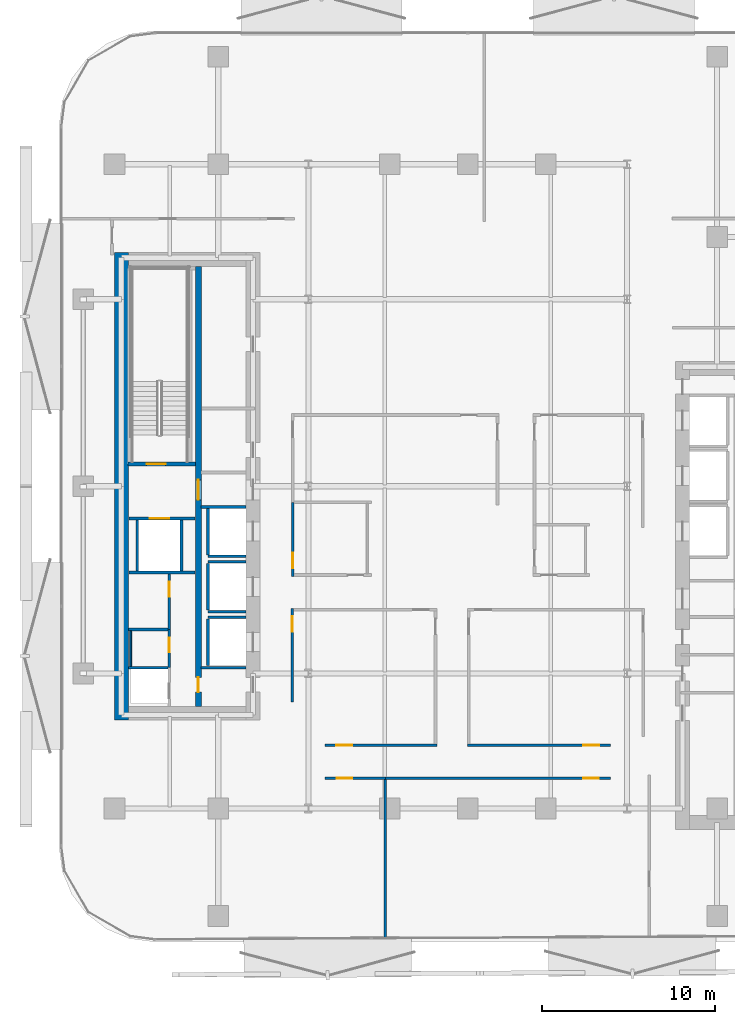
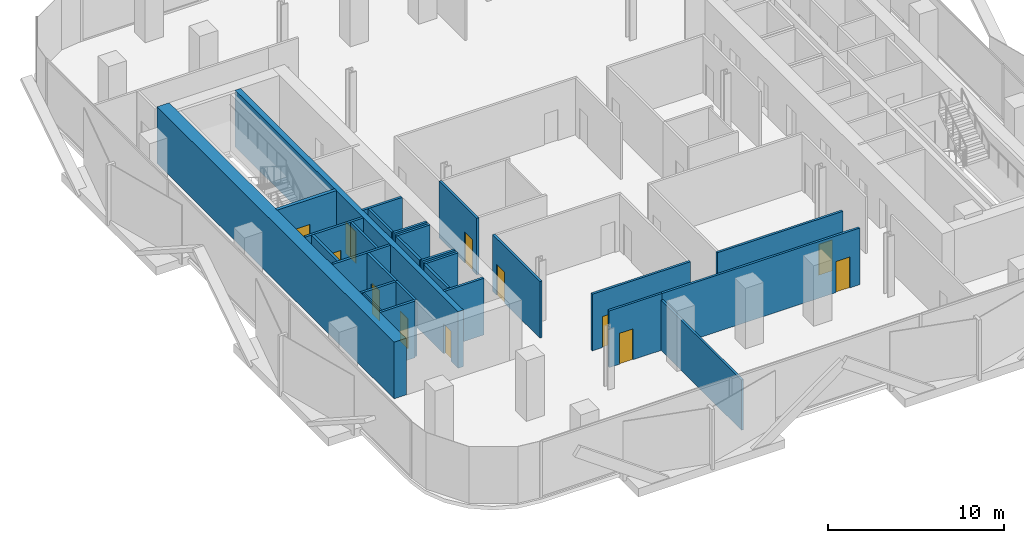
# One storey, part 3 of 15: 28 walls, 12 doors, 12 openings.
"""IFC4 building model written with IfcOpenShell, lengths in metres."""

import ifcopenshell
import ifcopenshell.guid

model = None  # the IFC model being written
_history = None  # IfcOwnerHistory: only IFC2X3 demands one
_inside = {}  # id of a spatial element -> (the spatial element, [elements in it])
_under = {}  # id of a project, library or spatial element -> (it, [spatial elements below it])
_declared = {}  # id of a project -> (the project, [libraries it declares])
_typed = {}  # id of a type object -> (the type object, [elements of that type])
_made_of = {}  # id of a material, layer set ... -> (it, [elements and type objects made of it])


def new_model(schema):
    """Start an empty IFC model of exactly this schema.

    Asked for "IFC4X3", IfcOpenShell would pick the latest addendum, in which some entities
    have other attributes; the version numbers below select the first issue.
    IFC2X3 requires an IfcOwnerHistory on every rooted entity: one is made here for all.
    """
    global model, _history
    if schema == "IFC4X3":
        model = ifcopenshell.file(schema_version=(4, 3, 0, 0))
    else:
        model = ifcopenshell.file(schema=schema)
    _inside.clear()
    _under.clear()
    _declared.clear()
    _typed.clear()
    _made_of.clear()
    _history = None
    if model.schema == "IFC2X3":
        org = make("IfcOrganization", Name="unknown")
        user = make(
            "IfcPersonAndOrganization",
            ThePerson=make("IfcPerson", FamilyName="unknown"),
            TheOrganization=org,
        )
        app = make(
            "IfcApplication",
            ApplicationDeveloper=org,
            Version="unknown",
            ApplicationFullName="unknown",
            ApplicationIdentifier="unknown",
        )
        _history = make(
            "IfcOwnerHistory",
            OwningUser=user,
            OwningApplication=app,
            ChangeAction="ADDED",
            CreationDate=0,
        )
    return model


def make(cls, **values):
    """One entity of the class cls with the attributes given. An attribute that is None is left unset."""
    return model.create_entity(
        cls, **{name: value for name, value in values.items() if value is not None}
    )


def rooted(cls, **values):
    """An entity with a GlobalId (a new one), such as an element, a storey or a relation."""
    return make(cls, GlobalId=ifcopenshell.guid.new(), OwnerHistory=_history, **values)


def si_unit(unit_type, name, prefix=None):
    """IfcSIUnit, for example si_unit("LENGTHUNIT", "METRE", prefix="MILLI")."""
    return make("IfcSIUnit", UnitType=unit_type, Prefix=prefix, Name=name)


def assignment(units):
    """IfcUnitAssignment: the units of a project."""
    return None if units is None else make("IfcUnitAssignment", Units=units)


def point(xyz):
    """IfcCartesianPoint."""
    return None if xyz is None else make("IfcCartesianPoint", Coordinates=xyz)


def direction(xyz):
    """IfcDirection."""
    return None if xyz is None else make("IfcDirection", DirectionRatios=xyz)


def frame(location, z_axis=None, x_axis=None):
    """IfcAxis2Placement3D, a coordinate frame: its origin and axes. An axis left out is left unset."""
    return make(
        "IfcAxis2Placement3D",
        Location=point(location),
        Axis=direction(z_axis),
        RefDirection=direction(x_axis),
    )


def frame_2d(location, x_axis=None):
    """IfcAxis2Placement2D, a coordinate frame in the plane: its origin and x axis."""
    return make(
        "IfcAxis2Placement2D", Location=point(location), RefDirection=direction(x_axis)
    )


def origin():
    """The frame at (0, 0, 0) with its axes left unset."""
    return frame((0.0, 0.0, 0.0))


def place(relative_to, where):
    """IfcLocalPlacement: puts the frame where relative to a parent placement (None: the world)."""
    return make(
        "IfcLocalPlacement", PlacementRelTo=relative_to, RelativePlacement=where
    )


def context(
    kind, dimensions, precision=None, world=None, true_north=None, identifier=None
):
    """IfcGeometricRepresentationContext, for example the 3D "Model" context."""
    return make(
        "IfcGeometricRepresentationContext",
        ContextIdentifier=identifier,
        ContextType=kind,
        CoordinateSpaceDimension=dimensions,
        Precision=precision,
        WorldCoordinateSystem=world,
        TrueNorth=true_north,
    )


def subcontext(parent, identifier, kind, view, scale=None):
    """IfcGeometricRepresentationSubContext, for example "Body" below "Model"."""
    return make(
        "IfcGeometricRepresentationSubContext",
        ContextIdentifier=identifier,
        ContextType=kind,
        ParentContext=parent,
        TargetScale=scale,
        TargetView=view,
    )


def project(units=None, contexts=None):
    """IfcProject with its units and contexts."""
    return rooted(
        "IfcProject",
        Name="project",
        RepresentationContexts=contexts,
        UnitsInContext=assignment(units),
    )


def spatial(cls, under=None, at=None, **own):
    """A site, building, storey or space (cls), placed at a placement, below another one or the project."""
    s = rooted(cls, ObjectPlacement=at, **own)
    if under is not None:
        _under.setdefault(under.id(), (under, []))[1].append(s)
    return s


def profile(cls, at=None, kind="AREA", **sizes):
    """A parametric profile (cls). Its sizes go by their IFC names, for example OverallWidth=200.0."""
    return make(cls, ProfileType=kind, Position=at, **sizes)


def rectangle(**sizes):
    """IfcRectangleProfileDef."""
    return profile("IfcRectangleProfileDef", **sizes)


def extrude(swept, where, along, depth):
    """IfcExtrudedAreaSolid: the profile swept, set in the frame where, extruded along a direction by depth."""
    return make(
        "IfcExtrudedAreaSolid",
        SweptArea=swept,
        Position=where,
        ExtrudedDirection=direction(along),
        Depth=depth,
    )


def shape(context_of_items, identifier, shape_type, items):
    """IfcShapeRepresentation: the items that make up one representation, for example the "Body"."""
    return make(
        "IfcShapeRepresentation",
        ContextOfItems=context_of_items,
        RepresentationIdentifier=identifier,
        RepresentationType=shape_type,
        Items=items,
    )


def material(Name=None, Category=None):
    """IfcMaterial."""
    return make("IfcMaterial", Name=Name, Category=Category)


def layer(
    of_material, thickness, ventilated=None, Name=None, Category=None, Priority=None
):
    """IfcMaterialLayer: one layer of a wall or slab, of a material (None: an air gap)."""
    return make(
        "IfcMaterialLayer",
        Material=of_material,
        LayerThickness=thickness,
        IsVentilated=ventilated,
        Name=Name,
        Category=Category,
        Priority=Priority,
    )


def layer_set(layers, Name=None):
    """IfcMaterialLayerSet."""
    return make("IfcMaterialLayerSet", MaterialLayers=layers, LayerSetName=Name)


def made_of(thing, what):
    """Note that an element or type object is made of a material, layer set ...; save() writes the relation."""
    if what is not None:
        _made_of.setdefault(what.id(), (what, []))[1].append(thing)
    return thing


def type_object(cls, material=None, **own):
    """A type object (cls), such as IfcWallType, which elements share."""
    return made_of(rooted(cls, **own), material)


def element(
    cls,
    number,
    at=None,
    inside=None,
    cuts=None,
    type_object=None,
    material=None,
    context=None,
    identifier="Body",
    shape_type=None,
    held_by="IfcProductDefinitionShape",
    body=None,
    shapes=None,
    **own,
):
    """One element of the class cls, such as IfcWall. Its Tag is "e" and its number.

    at: its placement. inside: the storey or other place that contains it. cuts: it is an
    opening in that element (IfcRelVoidsElement). A single representation is given by context,
    identifier, shape_type and body (its items); several are given by shapes. held_by: the class
    of the entity that holds the representations. save() writes the other relations.
    """
    e = rooted(cls, Tag="e%d" % number, ObjectPlacement=at, **own)
    if body is not None:
        shapes = [shape(context, identifier, shape_type, body)]
    if shapes is not None:
        e.Representation = make(held_by, Representations=shapes)
    if inside is not None:
        _inside.setdefault(inside.id(), (inside, []))[1].append(e)
    if cuts is not None:
        rooted(
            "IfcRelVoidsElement", RelatingBuildingElement=cuts, RelatedOpeningElement=e
        )
    if type_object is not None:
        _typed.setdefault(type_object.id(), (type_object, []))[1].append(e)
    return made_of(e, material)


def fill(opening, filler):
    """IfcRelFillsElement: the door or window that sits in an opening."""
    return rooted(
        "IfcRelFillsElement",
        RelatingOpeningElement=opening,
        RelatedBuildingElement=filler,
    )


def aggregate(whole, parts):
    """IfcRelAggregates: a whole, such as a stair, and the parts it consists of."""
    return rooted("IfcRelAggregates", RelatingObject=whole, RelatedObjects=parts)


def save(model, path):
    """Write the relations noted so far, then the file.

    IfcRelAggregates (storeys below a building ...), IfcRelContainedInSpatialStructure (elements
    in a storey), IfcRelDefinesByType, IfcRelAssociatesMaterial and IfcRelDeclares: one each for
    every whole, place, type object, material and project.
    """
    for whole, parts in _under.values():
        aggregate(whole, parts)
    for where, things in _inside.values():
        rooted(
            "IfcRelContainedInSpatialStructure",
            RelatedElements=things,
            RelatingStructure=where,
        )
    for kind, things in _typed.values():
        rooted("IfcRelDefinesByType", RelatedObjects=things, RelatingType=kind)
    for what, things in _made_of.values():
        rooted("IfcRelAssociatesMaterial", RelatedObjects=things, RelatingMaterial=what)
    for by, libraries in _declared.values():
        rooted("IfcRelDeclares", RelatingContext=by, RelatedDefinitions=libraries)
    model.write(path)


model = new_model("IFC4")

# Units and contexts
model_context = context("Model", 3, precision=1e-05, world=origin(), true_north=direction((0.0, 1.0)))
body_context = subcontext(model_context, "Body", "Model", "MODEL_VIEW")
ifc_project = project(units=[si_unit("LENGTHUNIT", "METRE"), si_unit("AREAUNIT", "SQUARE_METRE"), si_unit("VOLUMEUNIT", "CUBIC_METRE"), si_unit("PLANEANGLEUNIT", "RADIAN"), si_unit("MASSUNIT", "GRAM", prefix="KILO")], contexts=[model_context])

# Site, building, storey
site_placement = place(None, origin())
site = spatial("IfcSite", under=ifc_project, at=site_placement, CompositionType="ELEMENT")
building_placement = place(site_placement, origin())
building = spatial("IfcBuilding", under=site, at=building_placement, Name="Khairoan Windgate Tower", CompositionType="ELEMENT")
storey_placement = place(building_placement, frame((0.0, 0.0, 114.199951171875)))
storey = spatial("IfcBuildingStorey", under=building, at=storey_placement, Name="L26", CompositionType="ELEMENT", Elevation=114.199951171875)

# Walls
ifc_material_1 = material(Name="Moisture-Resistant Gypsum Partition", Category="gypsum")
ifc_layer_1 = layer(ifc_material_1, 0.10009765625, Name="Moisture-Resistant Gypsum Partition")
ifc_layer_set_1 = layer_set([ifc_layer_1], Name="Moisture-Resistant Gypsum Partition")
wall_type_1 = type_object("IfcWallType", Name="Bathroom Wet-Area Partition Wall", PredefinedType="PARTITIONING", material=ifc_layer_set_1)
wall_1_placement = place(storey_placement, frame((-19.449951171875, -10.389892578125, 0.0), z_axis=(0.0, 0.0, 1.0), x_axis=(0.0, 1.0, 0.0)))
element("IfcWall", 1, at=wall_1_placement, inside=storey, type_object=wall_type_1, Name="L26 Wet Room Side Wall 047", PredefinedType="PARTITIONING", context=body_context, shape_type="SweptSolid", body=[
    extrude(rectangle(XDim=2.039794921875, YDim=0.10009765625, at=frame_2d((1.02001953125, 0.0))), origin(), (0.0, 0.0, 1.0), 3.93994140625),
])
ifc_material_2 = material(Name="Concrete C40/50", Category="concrete")
ifc_layer_2 = layer(ifc_material_2, 0.159912109375, Name="Concrete C40/50")
ifc_layer_set_2 = layer_set([ifc_layer_2], Name="Concrete C40/50")
wall_type_2 = type_object("IfcWallType", Name="Core and Hoistway Enclosure Wall", PredefinedType="STANDARD", material=ifc_layer_set_2)
wall_2_placement = place(storey_placement, frame((-14.989990234375, -4.0400390625, 0.0), z_axis=(0.0, 0.0, 1.0), x_axis=(1.0, 0.0, 0.0)))
element("IfcWall", 2, at=wall_2_placement, inside=storey, type_object=wall_type_2, Name="L26 Lift PL4 Hoistway Divider S", PredefinedType="STANDARD", context=body_context, shape_type="SweptSolid", body=[
    extrude(rectangle(XDim=2.18994140625, YDim=0.159912109375, at=frame_2d((1.094970703125, 0.0))), origin(), (0.0, 0.0, 1.0), 3.93994140625),
])
wall_3_placement = place(storey_placement, frame((-14.989990234375, -3.949951171875, 0.0), z_axis=(0.0, 0.0, 1.0), x_axis=(0.0, 1.0, 0.0)))
element("IfcWall", 3, at=wall_3_placement, inside=storey, type_object=wall_type_2, Name="L26 Lift PL4 Hoistway Back Wall", PredefinedType="STANDARD", context=body_context, shape_type="SweptSolid", body=[
    extrude(rectangle(XDim=2.699951171875, YDim=0.159912109375, at=frame_2d((1.35009765625, 0.0))), origin(), (0.0, 0.0, 1.0), 3.93994140625),
])
for number, where, z_axis, x_axis, name in (
    (4, (-14.989990234375, -7.239990234375, 0.0), (0.0, 0.0, 1.0), (1.0, 0.0, 0.0), "L26 Lift PL5 Hoistway Divider S"),
    (5, (-14.989990234375, -4.360107421875, 0.0), (0.0, 0.0, 1.0), (1.0, 0.0, 0.0), "L26 Lift PL5 Hoistway Divider N"),
):
    element("IfcWall", number, at=place(storey_placement, frame(where, z_axis=z_axis, x_axis=x_axis)), inside=storey, type_object=wall_type_2, Name=name, PredefinedType="STANDARD", context=body_context, shape_type="SweptSolid", body=[
        extrude(rectangle(XDim=2.18994140625, YDim=0.159912109375, at=frame_2d((1.094970703125, 0.0))), origin(), (0.0, 0.0, 1.0), 3.93994140625),
    ])
wall_4_placement = place(storey_placement, frame((-14.989990234375, -7.14990234375, 0.0), z_axis=(0.0, 0.0, 1.0), x_axis=(0.0, 1.0, 0.0)))
element("IfcWall", 6, at=wall_4_placement, inside=storey, type_object=wall_type_2, Name="L26 Lift PL5 Hoistway Back Wall", PredefinedType="STANDARD", context=body_context, shape_type="SweptSolid", body=[
    extrude(rectangle(XDim=2.699951171875, YDim=0.159912109375, at=frame_2d((1.35009765625, 0.0))), origin(), (0.0, 0.0, 1.0), 3.93994140625),
])
wall_5_placement = place(storey_placement, frame((-14.989990234375, -7.56005859375, 0.0), z_axis=(0.0, 0.0, 1.0), x_axis=(1.0, 0.0, 0.0)))
element("IfcWall", 7, at=wall_5_placement, inside=storey, type_object=wall_type_2, Name="L26 Lift PL6 Hoistway Divider N", PredefinedType="STANDARD", context=body_context, shape_type="SweptSolid", body=[
    extrude(rectangle(XDim=2.18994140625, YDim=0.159912109375, at=frame_2d((1.094970703125, 0.0))), origin(), (0.0, 0.0, 1.0), 3.93994140625),
])
wall_6_placement = place(storey_placement, frame((-14.989990234375, -10.35009765625, 0.0), z_axis=(0.0, 0.0, 1.0), x_axis=(0.0, 1.0, 0.0)))
element("IfcWall", 8, at=wall_6_placement, inside=storey, type_object=wall_type_2, Name="L26 Lift PL6 Hoistway Back Wall", PredefinedType="STANDARD", context=body_context, shape_type="SweptSolid", body=[
    extrude(rectangle(XDim=2.7001953125, YDim=0.159912109375, at=frame_2d((1.35009765625, 0.0))), origin(), (0.0, 0.0, 1.0), 3.93994140625),
])

# Wall, opening, door
wall_7_placement = place(storey_placement, frame((-19.550048828125, -1.860107421875, 0.0), z_axis=(0.0, 0.0, 1.0), x_axis=(1.0, 0.0, 0.0)))
wall_7 = element("IfcWall", 9, at=wall_7_placement, inside=storey, type_object=wall_type_2, Name="L26 Core Shaft Wall SW-FL2-L26", PredefinedType="STANDARD", context=body_context, shape_type="SweptSolid", body=[
    extrude(rectangle(XDim=3.800048828125, YDim=0.159912109375, at=frame_2d((1.89990234375, 0.0))), origin(), (0.0, 0.0, 1.0), 3.93994140625),
])
opening_1_placement = place(wall_7_placement, frame((1.179931640625, 0.0, 0.0)))
opening_1 = element("IfcOpeningElement", 10, at=opening_1_placement, cuts=wall_7, Name="Opening LD-FL", PredefinedType="OPENING", context=body_context, shape_type="SweptSolid", body=[
    extrude(rectangle(XDim=1.14990234375, YDim=2.199951171875, at=frame_2d((0.574951171875, 1.10009765625))), frame((0.0, 0.08984375, 0.0), z_axis=(0.0, -1.0, 0.0), x_axis=(1.0, 0.0, 0.0)), (0.0, 0.0, 1.0), 0.179931640625),
])
ifc_material_3 = material(Name="Steel S355", Category="steel")
door_type_1 = type_object("IfcDoorType", Name="Firefighting Lift Sliding Landing Door LD-FL 1150x2200", OperationType="DOUBLE_DOOR_SLIDING", PredefinedType="DOOR", material=ifc_material_3)
door_1_placement = place(opening_1_placement, origin())
door_1 = element("IfcDoor", 11, at=door_1_placement, inside=storey, type_object=door_type_1, Name="L26 Firefighting Lift FL2 Landing Door", OperationType="DOUBLE_DOOR_SLIDING", OverallHeight=2.199951171875, OverallWidth=1.14990234375, PredefinedType="DOOR", context=body_context, shape_type="SweptSolid", body=[
    extrude(rectangle(XDim=1.14990234375, YDim=2.199951171875, at=frame_2d((0.574951171875, 1.10009765625))), frame((0.0, 0.02490234375, 0.0), z_axis=(0.0, -1.0, 0.0), x_axis=(1.0, 0.0, 0.0)), (0.0, 0.0, 1.0), 0.050048828125),
])
fill(opening_1, door_1)

# Walls
wall_8_placement = place(storey_placement, frame((-19.550048828125, -4.97998046875, 0.0), z_axis=(0.0, 0.0, 1.0), x_axis=(1.0, 0.0, 0.0)))
element("IfcWall", 12, at=wall_8_placement, inside=storey, type_object=wall_type_2, Name="L26 Core Shaft Wall SW-FL2B-L26", PredefinedType="STANDARD", context=body_context, shape_type="SweptSolid", body=[
    extrude(rectangle(XDim=3.800048828125, YDim=0.159912109375, at=frame_2d((1.89990234375, 0.0))), origin(), (0.0, 0.0, 1.0), 3.93994140625),
])
for number, where, z_axis, x_axis, name in (
    (13, (-19.080078125, -4.89990234375, 0.0), (0.0, 0.0, 1.0), (0.0, 1.0, 0.0), "L26 Core Shaft Wall SW-FL2W-L26"),
    (14, (-16.52001953125, -4.89990234375, 0.0), (0.0, 0.0, 1.0), (0.0, 1.0, 0.0), "L26 Core Shaft Wall SW-FL2E-L26"),
):
    element("IfcWall", number, at=place(storey_placement, frame(where, z_axis=z_axis, x_axis=x_axis)), inside=storey, type_object=wall_type_2, Name=name, PredefinedType="STANDARD", context=body_context, shape_type="SweptSolid", body=[
        extrude(rectangle(XDim=2.9599609375, YDim=0.159912109375, at=frame_2d((1.47998046875, 0.0))), origin(), (0.0, 0.0, 1.0), 3.93994140625),
    ])
for number, where, z_axis, x_axis, name in (
    (15, (-15.39990234375, -1.199951171875, 0.0), (0.0, 0.0, 1.0), (1.0, 0.0, 0.0), "L26 Core Shaft Wall SW-WV2-L26"),
    (16, (-15.39990234375, -10.47998046875, 0.0), (0.0, 0.0, 1.0), (1.0, 0.0, 0.0), "L26 Core Shaft Wall SW-WSV-L26"),
):
    element("IfcWall", number, at=place(storey_placement, frame(where, z_axis=z_axis, x_axis=x_axis)), inside=storey, type_object=wall_type_2, Name=name, PredefinedType="STANDARD", context=body_context, shape_type="SweptSolid", body=[
        extrude(rectangle(XDim=2.599853515625, YDim=0.159912109375, at=frame_2d((1.2998046875, 0.0))), origin(), (0.0, 0.0, 1.0), 3.93994140625),
    ])
ifc_material_4 = material(Name="Acoustic Fire-Rated Gypsum Partition", Category="gypsum")
ifc_layer_3 = layer(ifc_material_4, 0.139892578125, Name="Acoustic Fire-Rated Gypsum Partition")
ifc_layer_set_3 = layer_set([ifc_layer_3], Name="Acoustic Fire-Rated Gypsum Partition")
wall_type_3 = type_object("IfcWallType", Name="Inter-Tenancy Compartment Wall", PredefinedType="PARTITIONING", material=ifc_layer_set_3)
wall_9_placement = place(storey_placement, frame((-4.760009765625, -26.08984375, 0.0), z_axis=(0.0, 0.0, 1.0), x_axis=(0.0, 1.0, 0.0)))
element("IfcWall", 17, at=wall_9_placement, inside=storey, type_object=wall_type_3, Name="L26 Interior Partition 043", PredefinedType="PARTITIONING", context=body_context, shape_type="SweptSolid", body=[
    extrude(rectangle(XDim=9.15478515625, YDim=0.139892578125, at=frame_2d((4.577392578125, 0.0))), origin(), (0.0, 0.0, 1.0), 3.489990234375),
])

# Wall, opening, door
ifc_material_5 = material(Name="Concrete C40/50", Category="concrete")
ifc_layer_4 = layer(ifc_material_5, 0.159912109375, Name="Concrete C40/50")
ifc_layer_set_4 = layer_set([ifc_layer_4], Name="Concrete C40/50")
wall_type_4 = type_object("IfcWallType", Name="Plant and Refuge Compartment Wall", PredefinedType="PARTITIONING", material=ifc_layer_set_4)
wall_10_placement = place(storey_placement, frame((-17.22998046875, -10.469970703125, 0.0), z_axis=(0.0, 0.0, 1.0), x_axis=(0.0, 1.0, 0.0)))
wall_10 = element("IfcWall", 18, at=wall_10_placement, inside=storey, type_object=wall_type_4, Name="L26 Interior Partition 002", PredefinedType="PARTITIONING", context=body_context, shape_type="SweptSolid", body=[
    extrude(rectangle(XDim=2.199951171875, YDim=0.159912109375, at=frame_2d((1.10009765625, 0.0))), origin(), (0.0, 0.0, 1.0), 3.93994140625),
])
opening_2_placement = place(wall_10_placement, frame((0.889892578125, 0.0, 0.0)))
opening_2 = element("IfcOpeningElement", 19, at=opening_2_placement, cuts=wall_10, Name="Opening FD-SRV", PredefinedType="OPENING", context=body_context, shape_type="SweptSolid", body=[
    extrude(rectangle(XDim=0.85009765625, YDim=2.10009765625, at=frame_2d((0.425048828125, 1.050048828125))), frame((0.0, 0.08984375, 0.0), z_axis=(0.0, -1.0, 0.0), x_axis=(1.0, 0.0, 0.0)), (0.0, 0.0, 1.0), 0.179931640625),
])
ifc_material_6 = material(Name="Steel S355", Category="steel")
door_type_2 = type_object("IfcDoorType", Name="Core Service and Riser Fire Door FD-SRV 850x2100", OperationType="NOTDEFINED", PredefinedType="DOOR", material=ifc_material_6)
door_2_placement = place(opening_2_placement, origin())
door_2 = element("IfcDoor", 20, at=door_2_placement, inside=storey, type_object=door_type_2, Name="L26 L26-04-L26-06 Door", OperationType="SINGLE_SWING_LEFT", OverallHeight=2.10009765625, OverallWidth=0.85009765625, PredefinedType="DOOR", context=body_context, shape_type="SweptSolid", body=[
    extrude(rectangle(XDim=0.85009765625, YDim=2.10009765625, at=frame_2d((0.425048828125, 1.050048828125))), frame((0.0, 0.02490234375, 0.0), z_axis=(0.0, -1.0, 0.0), x_axis=(1.0, 0.0, 0.0)), (0.0, 0.0, 1.0), 0.050048828125),
])
fill(opening_2, door_2)

wall_11_placement = place(storey_placement, frame((-17.22998046875, -8.27001953125, 0.0), z_axis=(0.0, 0.0, 1.0), x_axis=(0.0, 1.0, 0.0)))
wall_11 = element("IfcWall", 21, at=wall_11_placement, inside=storey, type_object=wall_type_4, Name="L26 Interior Partition 003", PredefinedType="PARTITIONING", context=body_context, shape_type="SweptSolid", body=[
    extrude(rectangle(XDim=3.2099609375, YDim=0.159912109375, at=frame_2d((1.60498046875, 0.0))), origin(), (0.0, 0.0, 1.0), 3.93994140625),
])
opening_3_placement = place(wall_11_placement, frame((1.89990234375, 0.0, 0.0)))
opening_3 = element("IfcOpeningElement", 22, at=opening_3_placement, cuts=wall_11, Name="Opening FD-SRV", PredefinedType="OPENING", context=body_context, shape_type="SweptSolid", body=[
    extrude(rectangle(XDim=0.85009765625, YDim=2.10009765625, at=frame_2d((0.425048828125, 1.050048828125))), frame((0.0, 0.08984375, 0.0), z_axis=(0.0, -1.0, 0.0), x_axis=(1.0, 0.0, 0.0)), (0.0, 0.0, 1.0), 0.179931640625),
])
door_3_placement = place(opening_3_placement, origin())
door_3 = element("IfcDoor", 23, at=door_3_placement, inside=storey, type_object=door_type_2, Name="L26 L26-04-L26-07 Door", OperationType="SINGLE_SWING_RIGHT", OverallHeight=2.10009765625, OverallWidth=0.85009765625, PredefinedType="DOOR", context=body_context, shape_type="SweptSolid", body=[
    extrude(rectangle(XDim=0.85009765625, YDim=2.10009765625, at=frame_2d((0.425048828125, 1.050048828125))), frame((0.0, 0.02490234375, 0.0), z_axis=(0.0, -1.0, 0.0), x_axis=(1.0, 0.0, 0.0)), (0.0, 0.0, 1.0), 0.050048828125),
])
fill(opening_3, door_3)

# Walls
for number, where, z_axis, x_axis, name in (
    (24, (-19.60009765625, -10.469970703125, 0.0), (0.0, 0.0, 1.0), (1.0, 0.0, 0.0), "L26 Interior Partition 004"),
    (25, (-19.60009765625, -8.27001953125, 0.0), (0.0, 0.0, 1.0), (1.0, 0.0, 0.0), "L26 Interior Partition 005"),
):
    element("IfcWall", number, at=place(storey_placement, frame(where, z_axis=z_axis, x_axis=x_axis)), inside=storey, type_object=wall_type_4, Name=name, PredefinedType="PARTITIONING", context=body_context, shape_type="SweptSolid", body=[
        extrude(rectangle(XDim=2.2900390625, YDim=0.159912109375, at=frame_2d((1.14501953125, 0.0))), origin(), (0.0, 0.0, 1.0), 3.93994140625),
    ])

# Wall, opening, door
ifc_material_7 = material(Name="Acoustic Fire-Rated Gypsum Partition", Category="gypsum")
ifc_layer_5 = layer(ifc_material_7, 0.14990234375, Name="Acoustic Fire-Rated Gypsum Partition")
ifc_layer_set_5 = layer_set([ifc_layer_5], Name="Acoustic Fire-Rated Gypsum Partition")
wall_type_5 = type_object("IfcWallType", Name="Rated Corridor Partition Wall", PredefinedType="PARTITIONING", material=ifc_layer_set_5)
wall_12_placement = place(storey_placement, frame((-10.10009765625, -5.195068359375, 0.0), z_axis=(0.0, 0.0, 1.0), x_axis=(0.0, 1.0, 0.0)))
wall_12 = element("IfcWall", 26, at=wall_12_placement, inside=storey, type_object=wall_type_5, Name="L26 Interior Partition 015", PredefinedType="PARTITIONING", context=body_context, shape_type="SweptSolid", body=[
    extrude(rectangle(XDim=4.275146484375, YDim=0.14990234375, at=frame_2d((2.1376953125, 0.0))), origin(), (0.0, 0.0, 1.0), 3.93994140625),
])
opening_4_placement = place(wall_12_placement, frame((0.4599609375, 0.0, 0.0)))
opening_4 = element("IfcOpeningElement", 27, at=opening_4_placement, cuts=wall_12, Name="Opening FD-ENT", PredefinedType="OPENING", context=body_context, shape_type="SweptSolid", body=[
    extrude(rectangle(XDim=0.89990234375, YDim=2.14990234375, at=frame_2d((0.449951171875, 1.074951171875))), frame((0.0, 0.0849609375, 0.0), z_axis=(0.0, -1.0, 0.0), x_axis=(1.0, 0.0, 0.0)), (0.0, 0.0, 1.0), 0.169921875),
])
ifc_material_8 = material(Name="Timber Fire-Rated Core", Category="wood")
door_type_3 = type_object("IfcDoorType", Name="Unit and Office Fire Entrance Door FD-ENT 900x2150", OperationType="NOTDEFINED", PredefinedType="DOOR", material=ifc_material_8)
door_4_placement = place(opening_4_placement, origin())
door_4 = element("IfcDoor", 28, at=door_4_placement, inside=storey, type_object=door_type_3, Name="L26 L26-30-L26-49 Door", OperationType="SINGLE_SWING_LEFT", OverallHeight=2.14990234375, OverallWidth=0.89990234375, PredefinedType="DOOR", context=body_context, shape_type="SweptSolid", body=[
    extrude(rectangle(XDim=0.89990234375, YDim=2.14990234375, at=frame_2d((0.449951171875, 1.074951171875))), frame((0.0, 0.02490234375, 0.0), z_axis=(0.0, -1.0, 0.0), x_axis=(1.0, 0.0, 0.0)), (0.0, 0.0, 1.0), 0.050048828125),
])
fill(opening_4, door_4)

wall_13_placement = place(storey_placement, frame((-10.125, -12.43994140625, 0.0), z_axis=(0.0, 0.0, 1.0), x_axis=(0.0, 1.0, 0.0)))
wall_13 = element("IfcWall", 29, at=wall_13_placement, inside=storey, type_object=wall_type_5, Name="L26 Interior Partition 017", PredefinedType="PARTITIONING", context=body_context, shape_type="SweptSolid", body=[
    extrude(rectangle(XDim=5.39990234375, YDim=0.14990234375, at=frame_2d((2.699951171875, 0.0))), origin(), (0.0, 0.0, 1.0), 3.93994140625),
])
opening_5_placement = place(wall_13_placement, frame((4.0400390625, 0.0, 0.0)))
opening_5 = element("IfcOpeningElement", 30, at=opening_5_placement, cuts=wall_13, Name="Opening FD-ENT", PredefinedType="OPENING", context=body_context, shape_type="SweptSolid", body=[
    extrude(rectangle(XDim=0.89990234375, YDim=2.14990234375, at=frame_2d((0.449951171875, 1.074951171875))), frame((0.0, 0.0849609375, 0.0), z_axis=(0.0, -1.0, 0.0), x_axis=(1.0, 0.0, 0.0)), (0.0, 0.0, 1.0), 0.169921875),
])
door_5_placement = place(opening_5_placement, origin())
door_5 = element("IfcDoor", 31, at=door_5_placement, inside=storey, type_object=door_type_3, Name="L26 L26-30-L26-51 Door", OperationType="SINGLE_SWING_LEFT", OverallHeight=2.14990234375, OverallWidth=0.89990234375, PredefinedType="DOOR", context=body_context, shape_type="SweptSolid", body=[
    extrude(rectangle(XDim=0.89990234375, YDim=2.14990234375, at=frame_2d((0.449951171875, 1.074951171875))), frame((0.0, 0.02490234375, 0.0), z_axis=(0.0, -1.0, 0.0), x_axis=(1.0, 0.0, 0.0)), (0.0, 0.0, 1.0), 0.050048828125),
])
fill(opening_5, door_5)

wall_14_placement = place(storey_placement, frame((-8.239990234375, -16.860107421875, 0.0), z_axis=(0.0, 0.0, 1.0), x_axis=(1.0, 0.0, 0.0)))
wall_14 = element("IfcWall", 32, at=wall_14_placement, inside=storey, type_object=wall_type_5, Name="L26 Interior Partition 033", PredefinedType="PARTITIONING", context=body_context, shape_type="SweptSolid", body=[
    extrude(rectangle(XDim=3.47998046875, YDim=0.14990234375, at=frame_2d((1.739990234375, 0.0))), origin(), (0.0, 0.0, 1.0), 3.93994140625),
])
opening_6_placement = place(wall_14_placement, frame((0.66748046875, 0.0, 0.0)))
opening_6 = element("IfcOpeningElement", 33, at=opening_6_placement, cuts=wall_14, Name="Opening FD-ENT", PredefinedType="OPENING", context=body_context, shape_type="SweptSolid", body=[
    extrude(rectangle(XDim=0.89990234375, YDim=2.14990234375, at=frame_2d((0.449951171875, 1.074951171875))), frame((0.0, 0.0849609375, 0.0), z_axis=(0.0, -1.0, 0.0), x_axis=(1.0, 0.0, 0.0)), (0.0, 0.0, 1.0), 0.169921875),
])
door_6_placement = place(opening_6_placement, origin())
door_6 = element("IfcDoor", 34, at=door_6_placement, inside=storey, type_object=door_type_3, Name="L26 L26-37-L26-44 Door", OperationType="SINGLE_SWING_LEFT", OverallHeight=2.14990234375, OverallWidth=0.89990234375, PredefinedType="DOOR", context=body_context, shape_type="SweptSolid", body=[
    extrude(rectangle(XDim=0.89990234375, YDim=2.14990234375, at=frame_2d((0.449951171875, 1.074951171875))), frame((0.0, 0.02490234375, 0.0), z_axis=(0.0, -1.0, 0.0), x_axis=(1.0, 0.0, 0.0)), (0.0, 0.0, 1.0), 0.050048828125),
])
fill(opening_6, door_6)

wall_15_placement = place(storey_placement, frame((-4.760009765625, -16.860107421875, 0.0), z_axis=(0.0, 0.0, 1.0), x_axis=(1.0, 0.0, 0.0)))
wall_15 = element("IfcWall", 35, at=wall_15_placement, inside=storey, type_object=wall_type_5, Name="L26 Interior Partition 034", PredefinedType="PARTITIONING", context=body_context, shape_type="SweptSolid", body=[
    extrude(rectangle(XDim=13.0, YDim=0.14990234375, at=frame_2d((6.5, 0.0))), origin(), (0.0, 0.0, 1.0), 3.93994140625),
])
opening_7_placement = place(wall_15_placement, frame((11.436767578125, 0.0, 0.0)))
opening_7 = element("IfcOpeningElement", 36, at=opening_7_placement, cuts=wall_15, Name="Opening FD-ENT", PredefinedType="OPENING", context=body_context, shape_type="SweptSolid", body=[
    extrude(rectangle(XDim=0.89990234375, YDim=2.14990234375, at=frame_2d((0.449951171875, 1.074951171875))), frame((0.0, 0.0849609375, 0.0), z_axis=(0.0, -1.0, 0.0), x_axis=(1.0, 0.0, 0.0)), (0.0, 0.0, 1.0), 0.169921875),
])
door_7_placement = place(opening_7_placement, origin())
door_7 = element("IfcDoor", 37, at=door_7_placement, inside=storey, type_object=door_type_3, Name="L26 L26-37-L26-45 Door", OperationType="SINGLE_SWING_RIGHT", OverallHeight=2.14990234375, OverallWidth=0.89990234375, PredefinedType="DOOR", context=body_context, shape_type="SweptSolid", body=[
    extrude(rectangle(XDim=0.89990234375, YDim=2.14990234375, at=frame_2d((0.449951171875, 1.074951171875))), frame((0.0, 0.02490234375, 0.0), z_axis=(0.0, -1.0, 0.0), x_axis=(1.0, 0.0, 0.0)), (0.0, 0.0, 1.0), 0.050048828125),
])
fill(opening_7, door_7)

wall_16_placement = place(storey_placement, frame((-8.239990234375, -14.93994140625, 0.0), z_axis=(0.0, 0.0, 1.0), x_axis=(1.0, 0.0, 0.0)))
wall_16 = element("IfcWall", 38, at=wall_16_placement, inside=storey, type_object=wall_type_5, Name="L26 Interior Partition 035", PredefinedType="PARTITIONING", context=body_context, shape_type="SweptSolid", body=[
    extrude(rectangle(XDim=6.455078125, YDim=0.14990234375, at=frame_2d((3.2275390625, 0.0))), origin(), (0.0, 0.0, 1.0), 3.93994140625),
])
opening_8_placement = place(wall_16_placement, frame((0.66162109375, 0.0, 0.0)))
opening_8 = element("IfcOpeningElement", 39, at=opening_8_placement, cuts=wall_16, Name="Opening FD-ENT", PredefinedType="OPENING", context=body_context, shape_type="SweptSolid", body=[
    extrude(rectangle(XDim=0.89990234375, YDim=2.14990234375, at=frame_2d((0.449951171875, 1.074951171875))), frame((0.0, 0.0849609375, 0.0), z_axis=(0.0, -1.0, 0.0), x_axis=(1.0, 0.0, 0.0)), (0.0, 0.0, 1.0), 0.169921875),
])
door_8_placement = place(opening_8_placement, origin())
door_8 = element("IfcDoor", 40, at=door_8_placement, inside=storey, type_object=door_type_3, Name="L26 L26-37-L26-51 Door", OperationType="SINGLE_SWING_LEFT", OverallHeight=2.14990234375, OverallWidth=0.89990234375, PredefinedType="DOOR", context=body_context, shape_type="SweptSolid", body=[
    extrude(rectangle(XDim=0.89990234375, YDim=2.14990234375, at=frame_2d((0.449951171875, 1.074951171875))), frame((0.0, 0.02490234375, 0.0), z_axis=(0.0, -1.0, 0.0), x_axis=(1.0, 0.0, 0.0)), (0.0, 0.0, 1.0), 0.050048828125),
])
fill(opening_8, door_8)

wall_17_placement = place(storey_placement, frame((-0.014892578125, -14.93994140625, 0.0), z_axis=(0.0, 0.0, 1.0), x_axis=(1.0, 0.0, 0.0)))
wall_17 = element("IfcWall", 41, at=wall_17_placement, inside=storey, type_object=wall_type_5, Name="L26 Interior Partition 036", PredefinedType="PARTITIONING", context=body_context, shape_type="SweptSolid", body=[
    extrude(rectangle(XDim=8.2548828125, YDim=0.14990234375, at=frame_2d((4.12744140625, 0.0))), origin(), (0.0, 0.0, 1.0), 3.93994140625),
])
opening_9_placement = place(wall_17_placement, frame((6.69384765625, 0.0, 0.0)))
opening_9 = element("IfcOpeningElement", 42, at=opening_9_placement, cuts=wall_17, Name="Opening FD-ENT", PredefinedType="OPENING", context=body_context, shape_type="SweptSolid", body=[
    extrude(rectangle(XDim=0.89990234375, YDim=2.14990234375, at=frame_2d((0.449951171875, 1.074951171875))), frame((0.0, 0.0849609375, 0.0), z_axis=(0.0, -1.0, 0.0), x_axis=(1.0, 0.0, 0.0)), (0.0, 0.0, 1.0), 0.169921875),
])
door_9_placement = place(opening_9_placement, origin())
door_9 = element("IfcDoor", 43, at=door_9_placement, inside=storey, type_object=door_type_3, Name="L26 L26-37-L26-52 Door", OperationType="SINGLE_SWING_RIGHT", OverallHeight=2.14990234375, OverallWidth=0.89990234375, PredefinedType="DOOR", context=body_context, shape_type="SweptSolid", body=[
    extrude(rectangle(XDim=0.89990234375, YDim=2.14990234375, at=frame_2d((0.449951171875, 1.074951171875))), frame((0.0, 0.02490234375, 0.0), z_axis=(0.0, -1.0, 0.0), x_axis=(1.0, 0.0, 0.0)), (0.0, 0.0, 1.0), 0.050048828125),
])
fill(opening_9, door_9)

# Wall
ifc_material_9 = material(Name="Concrete C70/85", Category="concrete")
ifc_layer_6 = layer(ifc_material_9, 0.800048828125, Name="Concrete C70/85")
ifc_layer_set_6 = layer_set([ifc_layer_6], Name="Concrete C70/85")
wall_type_6 = type_object("IfcWallType", Name="Shear Wall CW-W1 800mm", PredefinedType="SHEAR", material=ifc_layer_set_6)
wall_18_placement = place(storey_placement, frame((-20.0, -13.5, 0.0), z_axis=(0.0, 0.0, 1.0), x_axis=(0.0, 1.0, 0.0)))
element("IfcWall", 44, at=wall_18_placement, inside=storey, type_object=wall_type_6, Name="W Core West Shear Wall L26", PredefinedType="SHEAR", context=body_context, shape_type="SweptSolid", body=[
    extrude(rectangle(XDim=27.0, YDim=0.800048828125, at=frame_2d((13.5, 0.0))), origin(), (0.0, 0.0, 1.0), 3.93994140625),
])

# Wall, openings, doors
ifc_material_10 = material(Name="Concrete C60/75", Category="concrete")
ifc_layer_7 = layer(ifc_material_10, 0.35009765625, Name="Concrete C60/75")
ifc_layer_set_7 = layer_set([ifc_layer_7], Name="Concrete C60/75")
wall_type_7 = type_object("IfcWallType", Name="Shear Wall SW-1 350mm", PredefinedType="SHEAR", material=ifc_layer_set_7)
wall_19_placement = place(storey_placement, frame((-15.550048828125, -12.699951171875, 0.0), z_axis=(0.0, 0.0, 1.0), x_axis=(0.0, 1.0, 0.0)))
wall_19 = element("IfcWall", 45, at=wall_19_placement, inside=storey, type_object=wall_type_7, Name="W Core Spine Shear Wall L26", PredefinedType="SHEAR", context=body_context, shape_type="SweptSolid", body=[
    extrude(rectangle(XDim=25.39990234375, YDim=0.35009765625, at=frame_2d((12.699951171875, 0.0))), origin(), (0.0, 0.0, 1.0), 3.93994140625),
])
opening_10_placement = place(wall_19_placement, frame((11.925048828125, 0.0, 0.0)))
opening_10 = element("IfcOpeningElement", 46, at=opening_10_placement, cuts=wall_19, Name="Opening FD-FFL", PredefinedType="OPENING", context=body_context, shape_type="SweptSolid", body=[
    extrude(rectangle(XDim=1.14990234375, YDim=2.199951171875, at=frame_2d((0.574951171875, 1.10009765625))), frame((0.0, 0.18505859375, 0.0), z_axis=(0.0, -1.0, 0.0), x_axis=(1.0, 0.0, 0.0)), (0.0, 0.0, 1.0), 0.3701171875),
])
opening_11_placement = place(wall_19_placement, frame((0.824951171875, 0.0, 0.0)))
opening_11 = element("IfcOpeningElement", 47, at=opening_11_placement, cuts=wall_19, Name="Opening FD-SRV", PredefinedType="OPENING", context=body_context, shape_type="SweptSolid", body=[
    extrude(rectangle(XDim=0.85009765625, YDim=2.10009765625, at=frame_2d((0.425048828125, 1.050048828125))), frame((0.0, 0.18505859375, 0.0), z_axis=(0.0, -1.0, 0.0), x_axis=(1.0, 0.0, 0.0)), (0.0, 0.0, 1.0), 0.3701171875),
])
door_10_placement = place(opening_11_placement, origin())
door_10 = element("IfcDoor", 48, at=door_10_placement, inside=storey, type_object=door_type_2, Name="L26 West Core Service Passage Inner Door", OperationType="SINGLE_SWING_LEFT", OverallHeight=2.10009765625, OverallWidth=0.85009765625, PredefinedType="DOOR", context=body_context, shape_type="SweptSolid", body=[
    extrude(rectangle(XDim=0.85009765625, YDim=2.10009765625, at=frame_2d((0.425048828125, 1.050048828125))), frame((0.0, 0.02490234375, 0.0), z_axis=(0.0, -1.0, 0.0), x_axis=(1.0, 0.0, 0.0)), (0.0, 0.0, 1.0), 0.050048828125),
])
fill(opening_11, door_10)
ifc_material_11 = material(Name="Steel S355", Category="steel")
door_type_4 = type_object("IfcDoorType", Name="Firefighting Lobby Fire Door FD-FFL 1150x2200", OperationType="NOTDEFINED", PredefinedType="DOOR", material=ifc_material_11)
door_11_placement = place(opening_10_placement, origin())
door_11 = element("IfcDoor", 49, at=door_11_placement, inside=storey, type_object=door_type_4, Name="L26 West Firefighting Lobby Fire Door", OperationType="SINGLE_SWING_LEFT", OverallHeight=2.199951171875, OverallWidth=1.14990234375, PredefinedType="DOOR", context=body_context, shape_type="SweptSolid", body=[
    extrude(rectangle(XDim=1.14990234375, YDim=2.199951171875, at=frame_2d((0.574951171875, 1.10009765625))), frame((0.0, 0.02490234375, 0.0), z_axis=(0.0, -1.0, 0.0), x_axis=(1.0, 0.0, 0.0)), (0.0, 0.0, 1.0), 0.050048828125),
])
fill(opening_10, door_11)

# Wall, opening, door
ifc_material_12 = material(Name="Concrete C50/60", Category="concrete")
ifc_layer_8 = layer(ifc_material_12, 0.219970703125, Name="Concrete C50/60")
ifc_layer_set_8 = layer_set([ifc_layer_8], Name="Concrete C50/60")
wall_type_8 = type_object("IfcWallType", Name="Shear Wall SW-ST 220mm", PredefinedType="SHEAR", material=ifc_layer_set_8)
wall_20_placement = place(storey_placement, frame((-19.6201171875, 1.2900390625, 0.0), z_axis=(0.0, 0.0, 1.0), x_axis=(1.0, 0.0, 0.0)))
wall_20 = element("IfcWall", 50, at=wall_20_placement, inside=storey, type_object=wall_type_8, Name="L26 Stair ST2 South Bearing Wall", PredefinedType="SHEAR", context=body_context, shape_type="SweptSolid", body=[
    extrude(rectangle(XDim=3.9150390625, YDim=0.219970703125, at=frame_2d((1.95751953125, 0.0))), origin(), (0.0, 0.0, 1.0), 3.93994140625),
])
opening_12_placement = place(wall_20_placement, frame((1.080078125, 0.0, 0.0)))
opening_12 = element("IfcOpeningElement", 51, at=opening_12_placement, cuts=wall_20, Name="Opening FD-ST", PredefinedType="OPENING", context=body_context, shape_type="SweptSolid", body=[
    extrude(rectangle(XDim=1.10009765625, YDim=2.199951171875, at=frame_2d((0.550048828125, 1.10009765625))), frame((0.0, 0.119873046875, 0.0), z_axis=(0.0, -1.0, 0.0), x_axis=(1.0, 0.0, 0.0)), (0.0, 0.0, 1.0), 0.239990234375),
])
ifc_material_13 = material(Name="Steel S355", Category="steel")
door_type_5 = type_object("IfcDoorType", Name="Smokeproof Stair Fire Door FD-ST 1100x2200", OperationType="NOTDEFINED", PredefinedType="DOOR", material=ifc_material_13)
door_12_placement = place(opening_12_placement, origin())
door_12 = element("IfcDoor", 52, at=door_12_placement, inside=storey, type_object=door_type_5, Name="L26 Stair ST2 Fire Door", OperationType="SINGLE_SWING_RIGHT", OverallHeight=2.199951171875, OverallWidth=1.10009765625, PredefinedType="DOOR", context=body_context, shape_type="SweptSolid", body=[
    extrude(rectangle(XDim=1.10009765625, YDim=2.199951171875, at=frame_2d((0.550048828125, 1.10009765625))), frame((0.0, 0.02490234375, 0.0), z_axis=(0.0, -1.0, 0.0), x_axis=(1.0, 0.0, 0.0)), (0.0, 0.0, 1.0), 0.050048828125),
])
fill(opening_12, door_12)

save(model, "model.ifc")
